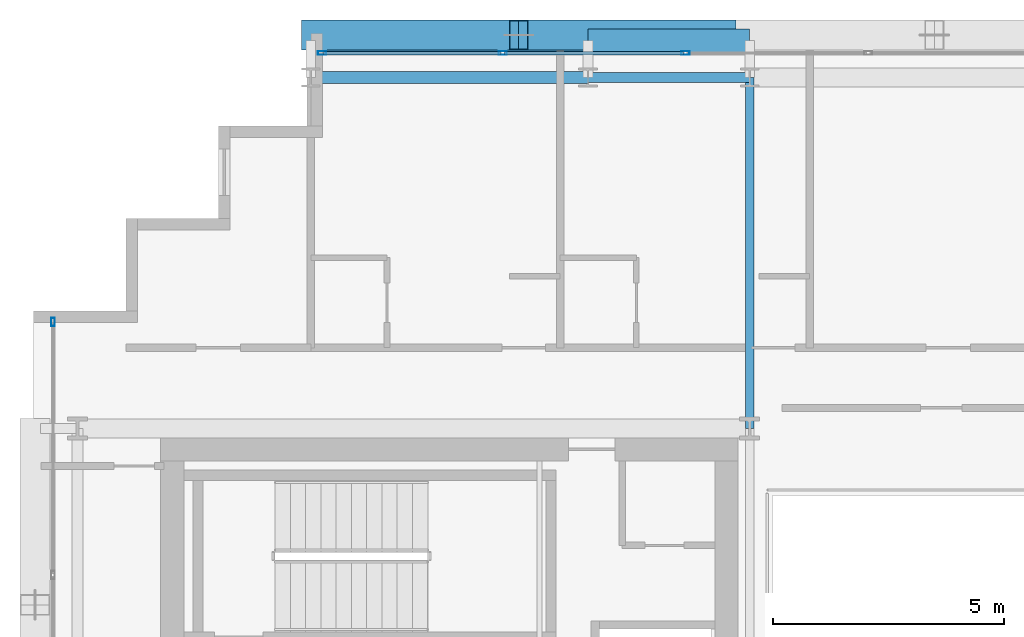
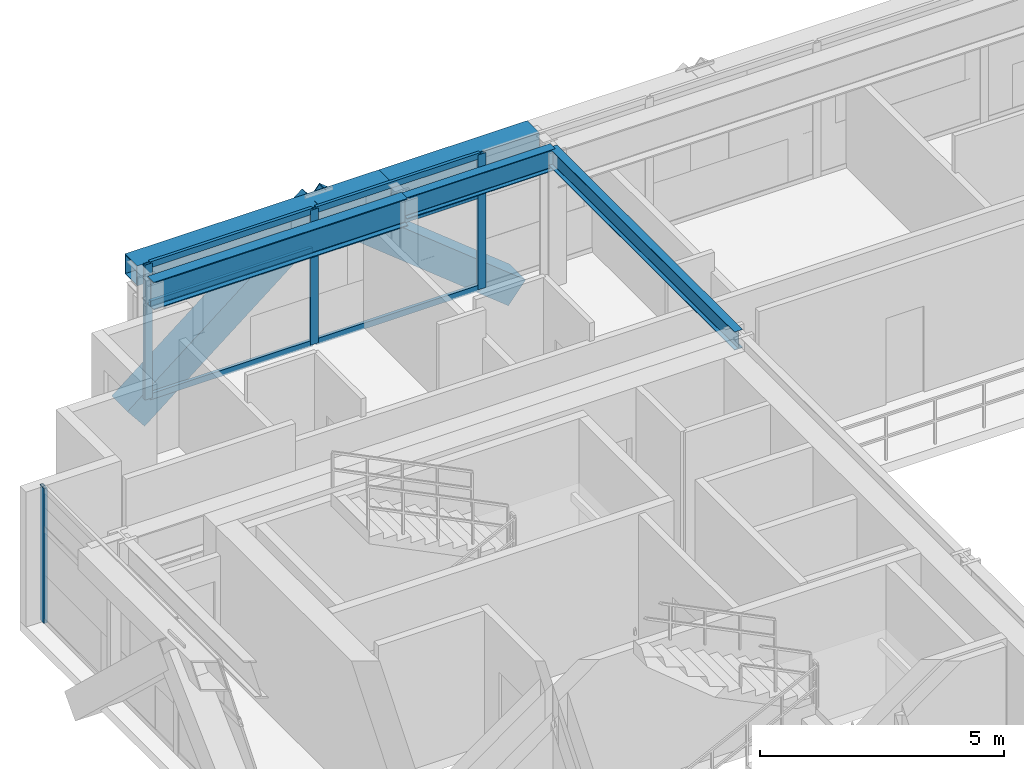
# One storey, part 16 of 31: 12 members, 5 beams, 2 elements without a shape of their own.
"""IFC4 building model written with IfcOpenShell, lengths in metres."""

from ifc_helpers import new_model, si_unit, direction, frame, origin, origin_2d, place, context, subcontext, project, spatial, hollow_rectangle, i_section, extrude, source, transform, mapped, material, layer, layer_set, material_profile, profile_set, type_object, element, aggregate, save


model = new_model("IFC4")

# Units and contexts
model_context = context("Model", 3, precision=1e-05, world=origin(), true_north=direction((0.0, 1.0)))
body_context = subcontext(model_context, "Body", "Model", "MODEL_VIEW")
ifc_project = project(units=[si_unit("LENGTHUNIT", "METRE"), si_unit("AREAUNIT", "SQUARE_METRE"), si_unit("VOLUMEUNIT", "CUBIC_METRE"), si_unit("PLANEANGLEUNIT", "RADIAN"), si_unit("MASSUNIT", "GRAM", prefix="KILO")], contexts=[model_context])

# Site, building, storey
site_placement = place(None, origin())
site = spatial("IfcSite", under=ifc_project, at=site_placement, CompositionType="ELEMENT")
building_placement = place(site_placement, origin())
building = spatial("IfcBuilding", under=site, at=building_placement, Name="Ocotamira Hotel", CompositionType="ELEMENT")
storey_placement = place(building_placement, frame((0.0, 0.0, 210.0)))
storey = spatial("IfcBuildingStorey", under=building, at=storey_placement, Name="L53", CompositionType="ELEMENT", Elevation=210.0)

# Beams
ifc_material_1 = material(Name="Steel ASTM A992 Grade 50", Category="steel")
ifc_material_profile_1 = material_profile(ifc_material_1, i_section(OverallWidth=0.256103515625, OverallDepth=0.693115234375, WebThickness=0.014404296875, FlangeThickness=0.023681640625, FilletRadius=0.01611328125, at=origin_2d()), Name="W27X114")
ifc_profile_set_1 = profile_set([ifc_material_profile_1], Name="Steel ASTM A992 Grade 50")
beam_type_1 = type_object("IfcBeamType", Name="BM-PRIM-W27X114", PredefinedType="BEAM", material=ifc_profile_set_1)
shared_shape_1 = source(origin(), body_context, "Body", "SweptSolid", [
    extrude(i_section(OverallWidth=0.256103515625, OverallDepth=0.693115234375, WebThickness=0.014404296875, FlangeThickness=0.023681640625, FilletRadius=0.01611328125, at=origin_2d()), origin(), (0.0, 0.0, 1.0), 6.0),
])
beam_1_placement = place(storey_placement, frame((14.0, 45.050048828125, 3.0234375), z_axis=(1.0, 0.0, 0.0), x_axis=(0.0, 1.0, 0.0)))
element("IfcBeam", 1, at=beam_1_placement, inside=storey, type_object=beam_type_1, Name="L53 Girder Y45.05 X14-20", PredefinedType="BEAM", context=body_context, shape_type="MappedRepresentation", body=[
    mapped(shared_shape_1, transform((0.0, 0.0, 0.0), scale=1.0)),
])
ifc_material_profile_2 = material_profile(ifc_material_1, i_section(OverallWidth=0.2099609375, OverallDepth=0.537109375, WebThickness=0.010986328125, FlangeThickness=0.017333984375, FilletRadius=0.012939453125, at=origin_2d()), Name="W21X68")
ifc_profile_set_2 = profile_set([ifc_material_profile_2], Name="Steel ASTM A992 Grade 50")
beam_type_2 = type_object("IfcBeamType", Name="BM-SEC-W21X68", PredefinedType="JOIST", material=ifc_profile_set_2)
shared_shape_2 = source(origin(), body_context, "Body", "SweptSolid", [
    extrude(i_section(OverallWidth=0.2099609375, OverallDepth=0.537109375, WebThickness=0.010986328125, FlangeThickness=0.017333984375, FilletRadius=0.012939453125, at=origin_2d()), origin(), (0.0, 0.0, 1.0), 3.5),
])
beam_2_placement = place(storey_placement, frame((20.0, 45.050048828125, 3.1015625), z_axis=(1.0, 0.0, 0.0), x_axis=(0.0, 1.0, 0.0)))
element("IfcBeam", 2, at=beam_2_placement, inside=storey, type_object=beam_type_2, Name="L53 Girder Y45.05 X20-23.5", PredefinedType="JOIST", context=body_context, shape_type="MappedRepresentation", body=[
    mapped(shared_shape_2, transform((0.0, 0.0, 0.0), scale=1.0)),
])
ifc_material_2 = material(Name="Steel ASTM A500 Grade C", Category="steel")
ifc_material_profile_3 = material_profile(ifc_material_2, hollow_rectangle(XDim=0.5, YDim=0.5, WallThickness=0.02001953125, at=origin_2d()), Name="HSS500X500X20")
ifc_profile_set_3 = profile_set([ifc_material_profile_3], Name="Steel ASTM A500 Grade C")
beam_type_3 = type_object("IfcBeamType", Name="BM-SPAN-HSS500", PredefinedType="USERDEFINED", material=ifc_profile_set_3)
shared_shape_3 = source(origin(), body_context, "Body", "SweptSolid", [
    extrude(hollow_rectangle(XDim=0.5, YDim=0.5, WallThickness=0.02001953125, at=origin_2d()), origin(), (0.0, 0.0, 1.0), 6.0),
])
beam_3_placement = place(storey_placement, frame((14.0, 45.85009765625, 3.1201171875), z_axis=(1.0, 0.0, 0.0), x_axis=(0.0, 1.0, 0.0)))
element("IfcBeam", 3, at=beam_3_placement, inside=storey, type_object=beam_type_3, Name="L53 Edge Spandrel N X14-20", ObjectType="SPANDREL", PredefinedType="USERDEFINED", context=body_context, shape_type="MappedRepresentation", body=[
    mapped(shared_shape_3, transform((0.0, 0.0, 0.0), scale=1.0)),
])
shared_shape_4 = source(origin(), body_context, "Body", "SweptSolid", [
    extrude(hollow_rectangle(XDim=0.5, YDim=0.5, WallThickness=0.02001953125, at=origin_2d()), origin(), (0.0, 0.0, 1.0), 3.5),
])
beam_4_placement = place(storey_placement, frame((20.0, 45.85009765625, 3.1201171875), z_axis=(1.0, 0.0, 0.0), x_axis=(0.0, 1.0, 0.0)))
element("IfcBeam", 4, at=beam_4_placement, inside=storey, type_object=beam_type_3, Name="L53 Edge Spandrel N X20-23.5", ObjectType="SPANDREL", PredefinedType="USERDEFINED", context=body_context, shape_type="MappedRepresentation", body=[
    mapped(shared_shape_4, transform((0.0, 0.0, 0.0), scale=1.0)),
])
ifc_material_profile_4 = material_profile(ifc_material_1, i_section(OverallWidth=0.18994140625, OverallDepth=0.45703125, WebThickness=0.009033203125, FlangeThickness=0.014404296875, FilletRadius=0.010009765625, at=origin_2d()), Name="W18X50")
ifc_profile_set_4 = profile_set([ifc_material_profile_4], Name="Steel ASTM A992 Grade 50")
beam_type_4 = type_object("IfcBeamType", Name="BM-SEC-W18X50", PredefinedType="JOIST", material=ifc_profile_set_4)
shared_shape_5 = source(origin(), body_context, "Body", "SweptSolid", [
    extrude(i_section(OverallWidth=0.18994140625, OverallDepth=0.45703125, WebThickness=0.009033203125, FlangeThickness=0.014404296875, FilletRadius=0.010009765625, at=origin_2d()), origin(), (0.0, 0.0, 1.0), 7.60009765625),
])
beam_5_placement = place(storey_placement, frame((23.5, 37.449951171875, 3.1416015625), z_axis=(0.0, 1.0, 0.0), x_axis=(-1.0, 0.0, 0.0)))
element("IfcBeam", 5, at=beam_5_placement, inside=storey, type_object=beam_type_4, Name="L53 Beam X23.5 Y37.45-45.05", PredefinedType="JOIST", context=body_context, shape_type="MappedRepresentation", body=[
    mapped(shared_shape_5, transform((0.0, 0.0, 0.0), scale=1.0)),
])

# Members
ifc_material_3 = material(Name="Pale-metal coated steel ASTM A913 Grade 65", Category="steel")
ifc_material_profile_5 = material_profile(ifc_material_3, hollow_rectangle(XDim=0.64990234375, YDim=0.64990234375, WallThickness=0.02197265625, at=origin_2d()), Name="BOX650X650X22")
ifc_profile_set_5 = profile_set([ifc_material_profile_5], Name="Pale-metal coated steel ASTM A913 Grade 65")
member_type_1 = type_object("IfcMemberType", Name="MEM-EXO-BOX650", PredefinedType="BRACE", material=ifc_profile_set_5)
shared_shape_6 = source(origin(), body_context, "Body", "SweptSolid", [
    extrude(hollow_rectangle(XDim=0.64990234375, YDim=0.64990234375, WallThickness=0.02197265625, at=origin_2d()), origin(), (0.0, 0.0, 1.0), 5.762939453125),
])
for number, where, z_axis, x_axis, name in (
    (6, (14.0, 45.969970703125, -0.47998046875), (0.780860543151, 0.0, 0.624705380279), (0.0, 1.0, 0.0), "L53 Exoskeleton Diagrid N0.1"),
    (7, (23.0, 45.969970703125, -0.47998046875), (-0.780860543151, 0.0, 0.624705380279), (0.0, -1.0, 0.0), "L53 Exoskeleton Diagrid N0.2"),
):
    element("IfcMember", number, at=place(storey_placement, frame(where, z_axis=z_axis, x_axis=x_axis)), inside=storey, type_object=member_type_1, Name=name, PredefinedType="BRACE", context=body_context, shape_type="MappedRepresentation", body=[
        mapped(shared_shape_6, transform((0.0, 0.0, 0.0), scale=1.0)),
    ])

# Curtain wall, members
ifc_material_4 = material(Name="Anodised pale-metal aluminium and solar glass", Category="aluminium")
ifc_layer = layer(ifc_material_4, 0.199951171875)
ifc_layer_set = layer_set([ifc_layer], Name="Anodised pale-metal aluminium and solar glass")
curtain_wall_type = type_object("IfcCurtainWallType", Name="CW-SYS4-Z3", PredefinedType="NOTDEFINED", material=ifc_layer_set)
curtain_wall_1_placement = place(storey_placement, origin())
curtain_wall_1 = element("IfcCurtainWall", 8, at=curtain_wall_1_placement, inside=storey, type_object=curtain_wall_type, Name="L53 Curtain Wall CW-4 CW-L53-N", PredefinedType="NOTDEFINED")
ifc_material_5 = material(Name="Anodised pale-metal aluminium 6063-T6", Category="aluminium")
ifc_material_profile_6 = material_profile(ifc_material_5, hollow_rectangle(XDim=0.074951171875, YDim=0.14990234375, WallThickness=0.006103515625, at=origin_2d()), Name="HSS150X75X6")
ifc_profile_set_6 = profile_set([ifc_material_profile_6], Name="Anodised pale-metal aluminium 6063-T6")
member_type_2 = type_object("IfcMemberType", Name="CWT-150X75", PredefinedType="USERDEFINED", material=ifc_profile_set_6)
shared_shape_7 = source(origin(), body_context, "Body", "SweptSolid", [
    extrude(hollow_rectangle(XDim=0.074951171875, YDim=0.14990234375, WallThickness=0.006103515625, at=origin_2d()), origin(), (0.0, 0.0, 1.0), 3.83544921875),
])
member_1_placement = place(storey_placement, frame((14.280029296875, 45.580078125, 0.03759765625), z_axis=(1.0, 0.0, 0.0), x_axis=(0.0, 1.0, 0.0)))
member_1 = element("IfcMember", 9, at=member_1_placement, type_object=member_type_2, Name="CW-4 transom 1.1", ObjectType="TRANSOM", PredefinedType="USERDEFINED", context=body_context, shape_type="MappedRepresentation", body=[
    mapped(shared_shape_7, transform((0.0, 0.0, 0.0), scale=1.0)),
])
member_2_placement = place(storey_placement, frame((14.280029296875, 45.580078125, 2.35009765625), z_axis=(1.0, 0.0, 0.0), x_axis=(0.0, 1.0, 0.0)))
member_2 = element("IfcMember", 10, at=member_2_placement, type_object=member_type_2, Name="CW-4 transom 1.2", ObjectType="TRANSOM", PredefinedType="USERDEFINED", context=body_context, shape_type="MappedRepresentation", body=[
    mapped(shared_shape_7, transform((0.0, 0.0, 0.0), scale=1.0)),
])
member_3_placement = place(storey_placement, frame((14.280029296875, 45.580078125, 3.33251953125), z_axis=(1.0, 0.0, 0.0), x_axis=(0.0, 1.0, 0.0)))
member_3 = element("IfcMember", 11, at=member_3_placement, type_object=member_type_2, Name="CW-4 transom 1.3", ObjectType="TRANSOM", PredefinedType="USERDEFINED", context=body_context, shape_type="MappedRepresentation", body=[
    mapped(shared_shape_7, transform((0.0, 0.0, 0.0), scale=1.0)),
])
shared_shape_8 = source(origin(), body_context, "Body", "SweptSolid", [
    extrude(hollow_rectangle(XDim=0.074951171875, YDim=0.14990234375, WallThickness=0.006103515625, at=origin_2d()), origin(), (0.0, 0.0, 1.0), 3.87548828125),
])
member_4_placement = place(storey_placement, frame((18.195556640625, 45.580078125, 0.03759765625), z_axis=(1.0, 0.0, 0.0), x_axis=(0.0, 1.0, 0.0)))
member_4 = element("IfcMember", 12, at=member_4_placement, type_object=member_type_2, Name="CW-4 transom 2.1", ObjectType="TRANSOM", PredefinedType="USERDEFINED", context=body_context, shape_type="MappedRepresentation", body=[
    mapped(shared_shape_8, transform((0.0, 0.0, 0.0), scale=1.0)),
])
member_5_placement = place(storey_placement, frame((18.195556640625, 45.580078125, 2.35009765625), z_axis=(1.0, 0.0, 0.0), x_axis=(0.0, 1.0, 0.0)))
member_5 = element("IfcMember", 13, at=member_5_placement, type_object=member_type_2, Name="CW-4 transom 2.2", ObjectType="TRANSOM", PredefinedType="USERDEFINED", context=body_context, shape_type="MappedRepresentation", body=[
    mapped(shared_shape_8, transform((0.0, 0.0, 0.0), scale=1.0)),
])
member_6_placement = place(storey_placement, frame((18.195556640625, 45.580078125, 3.33251953125), z_axis=(1.0, 0.0, 0.0), x_axis=(0.0, 1.0, 0.0)))
member_6 = element("IfcMember", 14, at=member_6_placement, type_object=member_type_2, Name="CW-4 transom 2.3", ObjectType="TRANSOM", PredefinedType="USERDEFINED", context=body_context, shape_type="MappedRepresentation", body=[
    mapped(shared_shape_8, transform((0.0, 0.0, 0.0), scale=1.0)),
])
ifc_material_profile_7 = material_profile(ifc_material_5, hollow_rectangle(XDim=0.080078125, YDim=0.179931640625, WallThickness=0.006103515625, at=origin_2d()), Name="HSS180X80X6")
ifc_profile_set_7 = profile_set([ifc_material_profile_7], Name="Anodised pale-metal aluminium 6063-T6")
member_type_3 = type_object("IfcMemberType", Name="CWM-180X75", PredefinedType="MULLION", material=ifc_profile_set_7)
shared_shape_9 = source(origin(), body_context, "Body", "SweptSolid", [
    extrude(hollow_rectangle(XDim=0.080078125, YDim=0.179931640625, WallThickness=0.006103515625, at=origin_2d()), origin(), (0.0, 0.0, 1.0), 3.3701171875),
])
member_7_placement = place(storey_placement, frame((14.239990234375, 45.580078125, 0.0), z_axis=(0.0, 0.0, 1.0), x_axis=(0.0, 1.0, 0.0)))
member_7 = element("IfcMember", 15, at=member_7_placement, type_object=member_type_3, Name="CW-4 mullion 1", PredefinedType="MULLION", context=body_context, shape_type="MappedRepresentation", body=[
    mapped(shared_shape_9, transform((0.0, 0.0, 0.0), scale=1.0)),
])
member_8_placement = place(storey_placement, frame((18.155517578125, 45.580078125, 0.0), z_axis=(0.0, 0.0, 1.0), x_axis=(0.0, 1.0, 0.0)))
member_8 = element("IfcMember", 16, at=member_8_placement, type_object=member_type_3, Name="CW-4 mullion 2", PredefinedType="MULLION", context=body_context, shape_type="MappedRepresentation", body=[
    mapped(shared_shape_9, transform((0.0, 0.0, 0.0), scale=1.0)),
])
member_9_placement = place(storey_placement, frame((22.111083984375, 45.580078125, 0.0), z_axis=(0.0, 0.0, 1.0), x_axis=(0.0, 1.0, 0.0)))
member_9 = element("IfcMember", 17, at=member_9_placement, type_object=member_type_3, Name="CW-4 mullion 3", PredefinedType="MULLION", context=body_context, shape_type="MappedRepresentation", body=[
    mapped(shared_shape_9, transform((0.0, 0.0, 0.0), scale=1.0)),
])
aggregate(curtain_wall_1, [member_7, member_8, member_9, member_1, member_2, member_3, member_4, member_5, member_6])

# Curtain wall, member
curtain_wall_2_placement = place(storey_placement, origin())
curtain_wall_2 = element("IfcCurtainWall", 18, at=curtain_wall_2_placement, inside=storey, type_object=curtain_wall_type, Name="L53 Curtain Wall CW-4 CW-L53-W", PredefinedType="NOTDEFINED")
member_10_placement = place(storey_placement, frame((8.419921875, 39.760009765625, 0.0), z_axis=(0.0, 0.0, 1.0), x_axis=(-1.0, 0.0, 0.0)))
member_10 = element("IfcMember", 19, at=member_10_placement, type_object=member_type_3, Name="CW-4 mullion 6", PredefinedType="MULLION", context=body_context, shape_type="MappedRepresentation", body=[
    mapped(shared_shape_9, transform((0.0, 0.0, 0.0), scale=1.0)),
])
aggregate(curtain_wall_2, [member_10])

save(model, "model.ifc")
